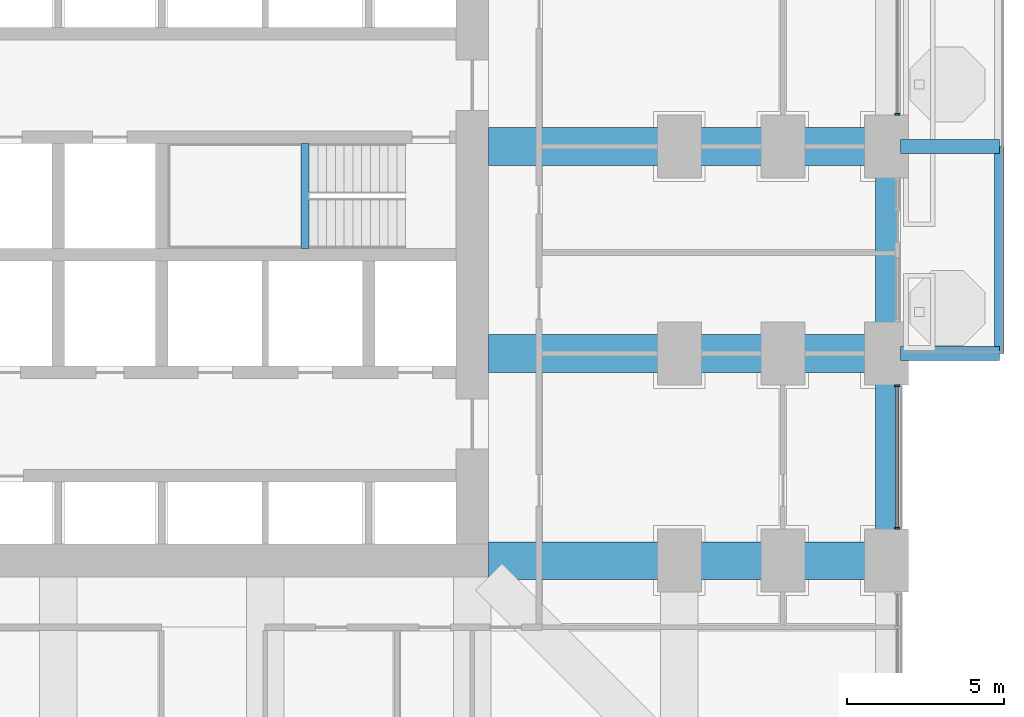
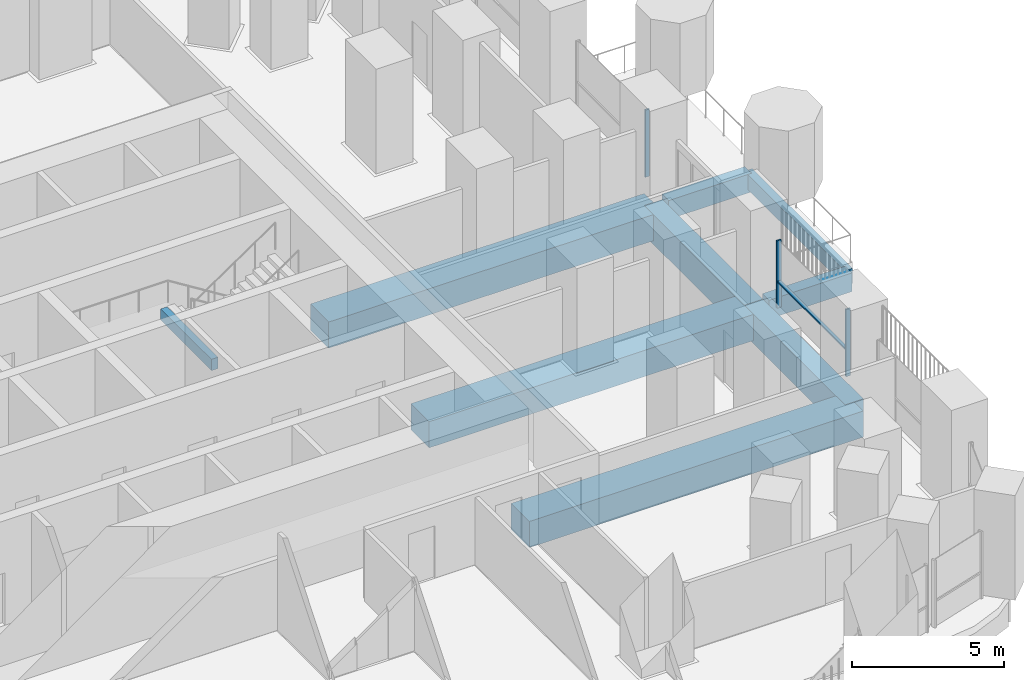
# One storey, part 5 of 24: 9 beams, 4 members, 2 elements without a shape of their own.
"""IFC4 building model written with IfcOpenShell, lengths in metres."""

from ifc_helpers import new_model, si_unit, direction, frame, origin, origin_2d, place, context, subcontext, project, spatial, rectangle, extrude, material, material_profile, profile_set, type_object, element, aggregate, save


model = new_model("IFC4")

# Units and contexts
model_context = context("Model", 3, precision=1e-05, world=origin(), true_north=direction((0.0, 1.0)))
body_context = subcontext(model_context, "Body", "Model", "MODEL_VIEW")
ifc_project = project(units=[si_unit("LENGTHUNIT", "METRE"), si_unit("AREAUNIT", "SQUARE_METRE"), si_unit("VOLUMEUNIT", "CUBIC_METRE"), si_unit("PLANEANGLEUNIT", "RADIAN"), si_unit("MASSUNIT", "GRAM", prefix="KILO")], contexts=[model_context])

# Site, building, storey
site_placement = place(None, origin())
site = spatial("IfcSite", under=ifc_project, at=site_placement, CompositionType="ELEMENT")
building_placement = place(site_placement, origin())
building = spatial("IfcBuilding", under=site, at=building_placement, Name="Cobogo Forest Laboratory Tower", CompositionType="ELEMENT")
storey_placement = place(building_placement, frame((0.0, 0.0, 17.10009765625)))
storey = spatial("IfcBuildingStorey", under=building, at=storey_placement, Name="L03", CompositionType="ELEMENT", Elevation=17.10009765625)

# Beams
ifc_material_1 = material(Name="Concrete HA-40 (C40/50)", Category="concrete")
ifc_material_profile_1 = material_profile(ifc_material_1, rectangle(XDim=0.449951171875, YDim=0.75, at=origin_2d()), Name="RC 450x750")
ifc_profile_set_1 = profile_set([ifc_material_profile_1], Name="Concrete HA-40 (C40/50)")
beam_type_1 = type_object("IfcBeamType", Name="Balcony cantilever beam 450x750", PredefinedType="BEAM", material=ifc_profile_set_1)
for number, where, z_axis, x_axis, name in (
    (1, (53.25, 19.800048828125, -0.625), (1.0, 0.0, 0.0), (0.0, 1.0, 0.0), "CB1 BAL-E1-C1 L03"),
    (2, (53.25, 26.39990234375, -0.625), (1.0, 0.0, 0.0), (0.0, 1.0, 0.0), "CB1 BAL-E1-C2 L03"),
):
    element("IfcBeam", number, at=place(storey_placement, frame(where, z_axis=z_axis, x_axis=x_axis)), inside=storey, type_object=beam_type_1, Name=name, PredefinedType="BEAM", context=body_context, shape_type="SweptSolid", body=[
        extrude(rectangle(XDim=0.449951171875, YDim=0.75, at=origin_2d()), origin(), (0.0, 0.0, 1.0), 3.14990234375),
    ])
ifc_material_profile_2 = material_profile(ifc_material_1, rectangle(XDim=0.300048828125, YDim=0.60009765625, at=origin_2d()), Name="RC 300x600")
ifc_profile_set_2 = profile_set([ifc_material_profile_2], Name="Concrete HA-40 (C40/50)")
beam_type_2 = type_object("IfcBeamType", Name="Balcony edge beam 300x600", PredefinedType="BEAM", material=ifc_profile_set_2)
beam_1_placement = place(storey_placement, frame((56.39990234375, 19.800048828125, -0.550048828125), z_axis=(0.0, 1.0, 0.0), x_axis=(-1.0, 0.0, 0.0)))
element("IfcBeam", 3, at=beam_1_placement, inside=storey, type_object=beam_type_2, Name="BB1 BAL-E1-T1 L03", PredefinedType="BEAM", context=body_context, shape_type="SweptSolid", body=[
    extrude(rectangle(XDim=0.300048828125, YDim=0.60009765625, at=origin_2d()), origin(), (0.0, 0.0, 1.0), 6.599853515625),
])
ifc_material_profile_3 = material_profile(ifc_material_1, rectangle(XDim=0.25, YDim=0.449951171875, at=origin_2d()), Name="RC 250x450")
ifc_profile_set_3 = profile_set([ifc_material_profile_3], Name="Concrete HA-40 (C40/50)")
beam_type_3 = type_object("IfcBeamType", Name="LB1 landing beam 250x450", PredefinedType="BEAM", material=ifc_profile_set_3)
beam_2_placement = place(storey_placement, frame((34.27001953125, 23.14990234375, 1.6748046875), z_axis=(0.0, 1.0, 0.0), x_axis=(-1.0, 0.0, 0.0)))
element("IfcBeam", 4, at=beam_2_placement, inside=storey, type_object=beam_type_3, Name="Landing beam ST2 L03", PredefinedType="BEAM", context=body_context, shape_type="SweptSolid", body=[
    extrude(rectangle(XDim=0.25, YDim=0.449951171875, at=origin_2d()), origin(), (0.0, 0.0, 1.0), 3.35009765625),
])
ifc_material_profile_4 = material_profile(ifc_material_1, rectangle(XDim=1.199951171875, YDim=1.050048828125, at=origin_2d()), Name="RC 1200x1050")
ifc_profile_set_4 = profile_set([ifc_material_profile_4], Name="Concrete HA-40 (C40/50)")
beam_type_4 = type_object("IfcBeamType", Name="Laboratory floor wide beam 1200x1050", PredefinedType="BEAM", material=ifc_profile_set_4)
for number, where, z_axis, x_axis, name in (
    (5, (40.125, 13.199951171875, -0.8251953125), (1.0, 0.0, 0.0), (0.0, 1.0, 0.0), "RB1 R-C-E L03"),
    (6, (40.125, 19.800048828125, -0.8251953125), (1.0, 0.0, 0.0), (0.0, 1.0, 0.0), "RB1 R-D-E L03"),
    (7, (40.125, 26.39990234375, -0.8251953125), (1.0, 0.0, 0.0), (0.0, 1.0, 0.0), "RB1 R-E-E L03"),
):
    element("IfcBeam", number, at=place(storey_placement, frame(where, z_axis=z_axis, x_axis=x_axis)), inside=storey, type_object=beam_type_4, Name=name, PredefinedType="BEAM", context=body_context, shape_type="SweptSolid", body=[
        extrude(rectangle(XDim=1.199951171875, YDim=1.050048828125, at=origin_2d()), origin(), (0.0, 0.0, 1.0), 12.675048828125),
    ])

# Curtain wall, members
ifc_material_2 = material(Name="Aluminium curtain wall", Category="aluminium")
curtain_wall_type = type_object("IfcCurtainWallType", Name="CW-1 unitised curtain wall, clear glazing, laboratory floors zones A and B", PredefinedType="USERDEFINED", material=ifc_material_2)
curtain_wall_1_placement = place(storey_placement, origin())
curtain_wall_1 = element("IfcCurtainWall", 8, at=curtain_wall_1_placement, inside=storey, type_object=curtain_wall_type, Name="Curtain wall 11 L03", ObjectType="UNITISED CURTAIN WALL", PredefinedType="USERDEFINED")
ifc_material_3 = material(Name="Aluminium mullion", Category="aluminium")
ifc_material_profile_5 = material_profile(ifc_material_3, rectangle(XDim=0.06005859375, YDim=0.159912109375, at=origin_2d()), Name="AL 60x160")
ifc_profile_set_5 = profile_set([ifc_material_profile_5], Name="Aluminium mullion")
member_type_1 = type_object("IfcMemberType", Name="MU-1 aluminium mullion 60x160", PredefinedType="MULLION", material=ifc_profile_set_5)
member_1_placement = place(storey_placement, frame((53.14990234375, 14.22998046875, 0.0), z_axis=(0.0, 0.0, 1.0), x_axis=(0.0, 1.0, 0.0)))
member_1 = element("IfcMember", 9, at=member_1_placement, type_object=member_type_1, Name="CW-1 mullion 1", PredefinedType="MULLION", context=body_context, shape_type="SweptSolid", body=[
    extrude(rectangle(XDim=0.06005859375, YDim=0.159912109375, at=origin_2d()), origin(), (0.0, 0.0, 1.0), 2.699951171875),
])
member_2_placement = place(storey_placement, frame((53.14990234375, 18.77001953125, 0.0), z_axis=(0.0, 0.0, 1.0), x_axis=(0.0, 1.0, 0.0)))
member_2 = element("IfcMember", 10, at=member_2_placement, type_object=member_type_1, Name="CW-1 mullion 2", PredefinedType="MULLION", context=body_context, shape_type="SweptSolid", body=[
    extrude(rectangle(XDim=0.06005859375, YDim=0.159912109375, at=origin_2d()), origin(), (0.0, 0.0, 1.0), 2.699951171875),
])

# Curtain wall, member
curtain_wall_2_placement = place(storey_placement, origin())
curtain_wall_2 = element("IfcCurtainWall", 11, at=curtain_wall_2_placement, inside=storey, type_object=curtain_wall_type, Name="Curtain wall 13 L03", ObjectType="UNITISED CURTAIN WALL", PredefinedType="USERDEFINED")
member_3_placement = place(storey_placement, frame((53.14990234375, 27.429931640625, 0.0), z_axis=(0.0, 0.0, 1.0), x_axis=(0.0, 1.0, 0.0)))
member_3 = element("IfcMember", 12, at=member_3_placement, type_object=member_type_1, Name="CW-1 mullion 1", PredefinedType="MULLION", context=body_context, shape_type="SweptSolid", body=[
    extrude(rectangle(XDim=0.06005859375, YDim=0.159912109375, at=origin_2d()), origin(), (0.0, 0.0, 1.0), 2.699951171875),
])
aggregate(curtain_wall_2, [member_3])

# Beams
ifc_material_profile_6 = material_profile(ifc_material_1, rectangle(XDim=0.699951171875, YDim=1.199951171875, at=origin_2d()), Name="RC 700x1200")
ifc_profile_set_6 = profile_set([ifc_material_profile_6], Name="Concrete HA-40 (C40/50)")
beam_type_5 = type_object("IfcBeamType", Name="Perimeter edge beam 700x1200", PredefinedType="BEAM", material=ifc_profile_set_6)
beam_3_placement = place(storey_placement, frame((52.800048828125, 13.199951171875, -0.900146484375), z_axis=(0.0, 1.0, 0.0), x_axis=(-1.0, 0.0, 0.0)))
element("IfcBeam", 13, at=beam_3_placement, inside=storey, type_object=beam_type_5, Name="EB1 E-E2 L03", PredefinedType="BEAM", context=body_context, shape_type="SweptSolid", body=[
    extrude(rectangle(XDim=0.699951171875, YDim=1.199951171875, at=origin_2d()), origin(), (0.0, 0.0, 1.0), 6.60009765625),
])
beam_4_placement = place(storey_placement, frame((52.800048828125, 19.800048828125, -0.900146484375), z_axis=(0.0, 1.0, 0.0), x_axis=(-1.0, 0.0, 0.0)))
element("IfcBeam", 14, at=beam_4_placement, inside=storey, type_object=beam_type_5, Name="EB1 E-E3 L03", PredefinedType="BEAM", context=body_context, shape_type="SweptSolid", body=[
    extrude(rectangle(XDim=0.699951171875, YDim=1.199951171875, at=origin_2d()), origin(), (0.0, 0.0, 1.0), 6.599853515625),
])

# Member
ifc_material_4 = material(Name="Aluminium transom", Category="aluminium")
ifc_material_profile_7 = material_profile(ifc_material_4, rectangle(XDim=0.1201171875, YDim=0.06005859375, at=origin_2d()), Name="AL 60x120")
ifc_profile_set_7 = profile_set([ifc_material_profile_7], Name="Aluminium transom")
member_type_2 = type_object("IfcMemberType", Name="TR-1 aluminium transom 60x120", PredefinedType="USERDEFINED", material=ifc_profile_set_7)
member_4_placement = place(storey_placement, frame((53.14990234375, 14.260009765625, 1.0498046875), z_axis=(0.0, 1.0, 0.0), x_axis=(-1.0, 0.0, 0.0)))
member_4 = element("IfcMember", 15, at=member_4_placement, type_object=member_type_2, Name="CW-1 transom 1.1", ObjectType="TRANSOM", PredefinedType="USERDEFINED", context=body_context, shape_type="SweptSolid", body=[
    extrude(rectangle(XDim=0.1201171875, YDim=0.06005859375, at=origin_2d()), origin(), (0.0, 0.0, 1.0), 4.47998046875),
])

aggregate(curtain_wall_1, [member_1, member_2, member_4])

save(model, "model.ifc")
